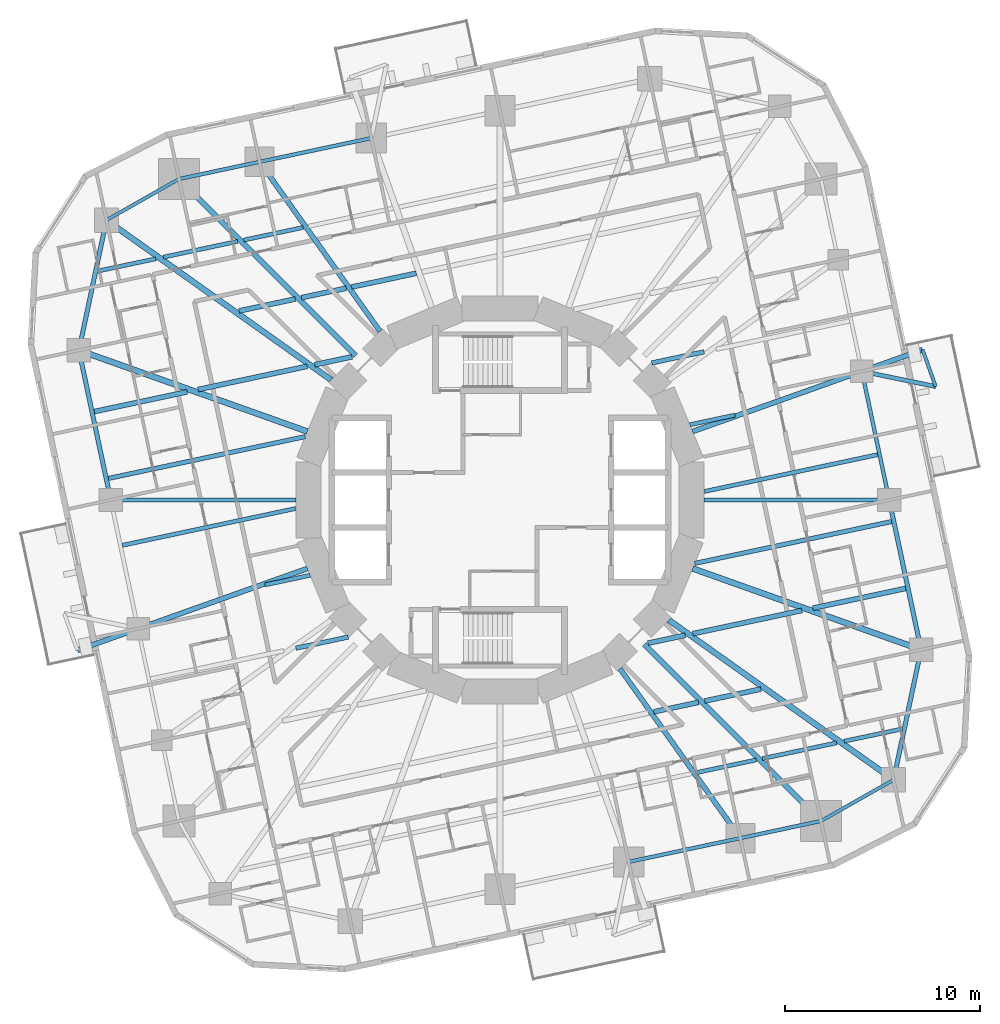
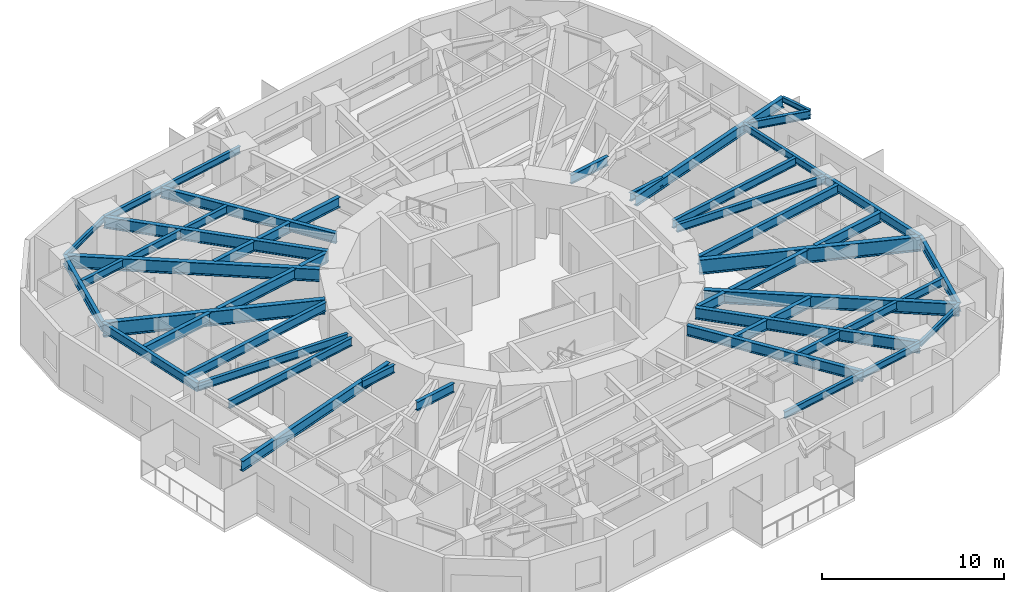
# One storey, part 2 of 14: 50 beams.
"""IFC4 building model written with IfcOpenShell, lengths in metres."""

from ifc_helpers import new_model, si_unit, direction, frame, origin, origin_2d, place, context, subcontext, project, spatial, i_section, extrude, material, material_profile, profile_set, type_object, element, save


model = new_model("IFC4")

# Units and contexts
model_context = context("Model", 3, precision=1e-05, world=origin(), true_north=direction((0.0, 1.0)))
body_context = subcontext(model_context, "Body", "Model", "MODEL_VIEW")
ifc_project = project(units=[si_unit("LENGTHUNIT", "METRE"), si_unit("AREAUNIT", "SQUARE_METRE"), si_unit("VOLUMEUNIT", "CUBIC_METRE"), si_unit("PLANEANGLEUNIT", "RADIAN"), si_unit("MASSUNIT", "GRAM", prefix="KILO")], contexts=[model_context])

# Site, building, storey
site_placement = place(None, origin())
site = spatial("IfcSite", under=ifc_project, at=site_placement, CompositionType="ELEMENT")
building_placement = place(site_placement, origin())
building = spatial("IfcBuilding", under=site, at=building_placement, Name="Nakasero Lantern House", CompositionType="ELEMENT")
storey_placement = place(building_placement, frame((0.0, 0.0, 120.39990234375)))
storey = spatial("IfcBuildingStorey", under=building, at=storey_placement, Name="L29", CompositionType="ELEMENT", Elevation=120.39990234375)

# Beams
ifc_material_1 = material(Name="Steel S355", Category="steel")
ifc_material_profile_1 = material_profile(ifc_material_1, i_section(OverallWidth=0.2138671875, OverallDepth=0.549072265625, WebThickness=0.0146484375, FlangeThickness=0.023681640625, FilletRadius=0.0126953125, at=origin_2d()), Name="UB 533x210x138")
ifc_profile_set_1 = profile_set([ifc_material_profile_1], Name="Steel S355")
beam_type_1 = type_object("IfcBeamType", Name="Balcony splay beam UB 533x210x138", PredefinedType="BEAM", material=ifc_profile_set_1)
beam_1_placement = place(storey_placement, frame((18.534912109375, 6.590087890625, 3.37548828125), z_axis=(0.979420272605, -0.201831438605, 0.0), x_axis=(0.201831438605, 0.979420272605, 0.0)))
element("IfcBeam", 1, at=beam_1_placement, inside=storey, type_object=beam_type_1, Name="Balcony splay beam L30 B3-C04A", PredefinedType="BEAM", context=body_context, shape_type="SweptSolid", body=[
    extrude(i_section(OverallWidth=0.2138671875, OverallDepth=0.549072265625, WebThickness=0.0146484375, FlangeThickness=0.023681640625, FilletRadius=0.0126953125, at=origin_2d()), origin(), (0.0, 0.0, 1.0), 3.858642578125),
])
ifc_material_2 = material(Name="Steel S355", Category="steel")
ifc_material_profile_2 = material_profile(ifc_material_2, i_section(OverallWidth=0.17138671875, OverallDepth=0.35498046875, WebThickness=0.00732421875, FlangeThickness=0.011474609375, FilletRadius=0.01025390625, at=origin_2d()), Name="UB 356x171x51")
ifc_profile_set_2 = profile_set([ifc_material_profile_2], Name="Steel S355")
beam_type_2 = type_object("IfcBeamType", Name="Balcony tie beam UB 356x171x51", PredefinedType="BEAM", material=ifc_profile_set_2)
beam_2_placement = place(storey_placement, frame((22.314208984375, 5.811279296875, 3.47265625), z_axis=(-0.335060236487, 0.942196708721, 0.0), x_axis=(-0.942196708721, -0.335060236487, 0.0)))
element("IfcBeam", 2, at=beam_2_placement, inside=storey, type_object=beam_type_2, Name="Balcony tie beam L30 B3-C04", PredefinedType="BEAM", context=body_context, shape_type="SweptSolid", body=[
    extrude(i_section(OverallWidth=0.17138671875, OverallDepth=0.35498046875, WebThickness=0.00732421875, FlangeThickness=0.011474609375, FilletRadius=0.01025390625, at=origin_2d()), origin(), (0.0, 0.0, 1.0), 2.000244140625),
])
ifc_material_3 = material(Name="Steel S355", Category="steel")
ifc_material_profile_3 = material_profile(ifc_material_3, i_section(OverallWidth=0.2099609375, OverallDepth=0.53662109375, WebThickness=0.0107421875, FlangeThickness=0.017333984375, FilletRadius=0.0126953125, at=origin_2d()), Name="UB 533x210x101")
ifc_profile_set_3 = profile_set([ifc_material_profile_3], Name="Steel S355")
beam_type_3 = type_object("IfcBeamType", Name="Infill beam UB 533x210x101", PredefinedType="JOIST", material=ifc_profile_set_3)
beam_3_placement = place(storey_placement, frame((10.0830078125, -13.958740234375, 3.3818359375), z_axis=(0.97813788874, 0.207957376908, 0.0), x_axis=(-0.207957376908, 0.97813788874, 0.0)))
element("IfcBeam", 3, at=beam_3_placement, inside=storey, type_object=beam_type_3, Name="Infill beam L30 03.5", PredefinedType="JOIST", context=body_context, shape_type="SweptSolid", body=[
    extrude(i_section(OverallWidth=0.2099609375, OverallDepth=0.53662109375, WebThickness=0.0107421875, FlangeThickness=0.017333984375, FilletRadius=0.0126953125, at=origin_2d()), origin(), (0.0, 0.0, 1.0), 3.108642578125),
])
beam_4_placement = place(storey_placement, frame((13.434814453125, -13.24609375, 3.3818359375), z_axis=(0.978152946383, 0.207886539924, 0.0), x_axis=(-0.207886539924, 0.978152946383, 0.0)))
element("IfcBeam", 4, at=beam_4_placement, inside=storey, type_object=beam_type_3, Name="Infill beam L30 03.6", PredefinedType="JOIST", context=body_context, shape_type="SweptSolid", body=[
    extrude(i_section(OverallWidth=0.2099609375, OverallDepth=0.53662109375, WebThickness=0.0107421875, FlangeThickness=0.017333984375, FilletRadius=0.0126953125, at=origin_2d()), origin(), (0.0, 0.0, 1.0), 3.888427734375),
])
beam_5_placement = place(storey_placement, frame((17.626708984375, -12.355224609375, 3.3818359375), z_axis=(0.978152299812, 0.207889582165, 0.0), x_axis=(-0.207889582165, 0.978152299812, 0.0)))
element("IfcBeam", 5, at=beam_5_placement, inside=storey, type_object=beam_type_3, Name="Infill beam L30 03.7", PredefinedType="JOIST", context=body_context, shape_type="SweptSolid", body=[
    extrude(i_section(OverallWidth=0.2099609375, OverallDepth=0.53662109375, WebThickness=0.0107421875, FlangeThickness=0.017333984375, FilletRadius=0.0126953125, at=origin_2d()), origin(), (0.0, 0.0, 1.0), 3.031005859375),
])
beam_6_placement = place(storey_placement, frame((-12.030029296875, -4.34619140625, 3.3818359375), z_axis=(0.97814938161, 0.207903312278, 0.0), x_axis=(-0.207903312278, 0.97814938161, 0.0)))
element("IfcBeam", 6, at=beam_6_placement, inside=storey, type_object=beam_type_3, Name="Infill beam L30 07.1", PredefinedType="JOIST", context=body_context, shape_type="SweptSolid", body=[
    extrude(i_section(OverallWidth=0.2099609375, OverallDepth=0.53662109375, WebThickness=0.0107421875, FlangeThickness=0.017333984375, FilletRadius=0.0126953125, at=origin_2d()), origin(), (0.0, 0.0, 1.0), 2.359130859375),
])
for number, where, z_axis, x_axis, name in (
    (7, (10.457763671875, 0.433837890625, 3.3818359375), (0.978146760676, 0.207915642939, 0.0), (-0.207915642939, 0.978146760676, 0.0), "Infill beam L30 07.2"),
    (8, (-19.34423828125, -2.32275390625, 3.3818359375), (0.978146760676, 0.207915642939, 0.0), (-0.207915642939, 0.978146760676, 0.0), "Infill beam L30 08.1"),
):
    element("IfcBeam", number, at=place(storey_placement, frame(where, z_axis=z_axis, x_axis=x_axis)), inside=storey, type_object=beam_type_3, Name=name, PredefinedType="JOIST", context=body_context, shape_type="SweptSolid", body=[
        extrude(i_section(OverallWidth=0.2099609375, OverallDepth=0.53662109375, WebThickness=0.0107421875, FlangeThickness=0.017333984375, FilletRadius=0.0126953125, at=origin_2d()), origin(), (0.0, 0.0, 1.0), 9.0849609375),
    ])
beam_7_placement = place(storey_placement, frame((9.722412109375, 3.855712890625, 3.3818359375), z_axis=(0.97814938161, 0.207903312278, 0.0), x_axis=(-0.207903312278, 0.97814938161, 0.0)))
element("IfcBeam", 9, at=beam_7_placement, inside=storey, type_object=beam_type_3, Name="Infill beam L30 08.2", PredefinedType="JOIST", context=body_context, shape_type="SweptSolid", body=[
    extrude(i_section(OverallWidth=0.2099609375, OverallDepth=0.53662109375, WebThickness=0.0107421875, FlangeThickness=0.017333984375, FilletRadius=0.0126953125, at=origin_2d()), origin(), (0.0, 0.0, 1.0), 2.359130859375),
])
beam_8_placement = place(storey_placement, frame((-20.591552734375, 11.72509765625, 3.3818359375), z_axis=(0.978152299812, 0.207889582165, 0.0), x_axis=(-0.207889582165, 0.978152299812, 0.0)))
element("IfcBeam", 10, at=beam_8_placement, inside=storey, type_object=beam_type_3, Name="Infill beam L30 12.1", PredefinedType="JOIST", context=body_context, shape_type="SweptSolid", body=[
    extrude(i_section(OverallWidth=0.2099609375, OverallDepth=0.53662109375, WebThickness=0.0107421875, FlangeThickness=0.017333984375, FilletRadius=0.0126953125, at=origin_2d()), origin(), (0.0, 0.0, 1.0), 3.031005859375),
])
beam_9_placement = place(storey_placement, frame((-17.23828125, 12.437744140625, 3.3818359375), z_axis=(0.978152946383, 0.207886539924, 0.0), x_axis=(-0.207886539924, 0.978152946383, 0.0)))
element("IfcBeam", 11, at=beam_9_placement, inside=storey, type_object=beam_type_3, Name="Infill beam L30 12.2", PredefinedType="JOIST", context=body_context, shape_type="SweptSolid", body=[
    extrude(i_section(OverallWidth=0.2099609375, OverallDepth=0.53662109375, WebThickness=0.0107421875, FlangeThickness=0.017333984375, FilletRadius=0.0126953125, at=origin_2d()), origin(), (0.0, 0.0, 1.0), 3.888427734375),
])
beam_10_placement = place(storey_placement, frame((-13.123779296875, 13.312255859375, 3.3818359375), z_axis=(0.97813788874, 0.207957376908, 0.0), x_axis=(-0.207957376908, 0.97813788874, 0.0)))
element("IfcBeam", 12, at=beam_10_placement, inside=storey, type_object=beam_type_3, Name="Infill beam L30 12.3", PredefinedType="JOIST", context=body_context, shape_type="SweptSolid", body=[
    extrude(i_section(OverallWidth=0.2099609375, OverallDepth=0.53662109375, WebThickness=0.0107421875, FlangeThickness=0.017333984375, FilletRadius=0.0126953125, at=origin_2d()), origin(), (0.0, 0.0, 1.0), 3.108642578125),
])
ifc_material_4 = material(Name="Steel S355", Category="steel")
ifc_material_profile_4 = material_profile(ifc_material_4, i_section(OverallWidth=0.2275390625, OverallDepth=0.6025390625, WebThickness=0.010498046875, FlangeThickness=0.014892578125, FilletRadius=0.0126953125, at=origin_2d()), Name="UB 610x229x101")
ifc_profile_set_4 = profile_set([ifc_material_profile_4], Name="Steel S355")
beam_type_4 = type_object("IfcBeamType", Name="Infill beam UB 610x229x101", PredefinedType="JOIST", material=ifc_profile_set_4)
beam_11_placement = place(storey_placement, frame((-10.453369140625, -7.58935546875, 3.348876953125), z_axis=(0.978139842642, 0.207948186423, 0.0), x_axis=(-0.207948186423, 0.978139842642, 0.0)))
element("IfcBeam", 13, at=beam_11_placement, inside=storey, type_object=beam_type_4, Name="Infill beam L30 06.2", PredefinedType="JOIST", context=body_context, shape_type="SweptSolid", body=[
    extrude(i_section(OverallWidth=0.2275390625, OverallDepth=0.6025390625, WebThickness=0.010498046875, FlangeThickness=0.014892578125, FilletRadius=0.0126953125, at=origin_2d()), origin(), (0.0, 0.0, 1.0), 2.74267578125),
])
for number, where, z_axis, x_axis, name in (
    (14, (9.974365234375, -3.2470703125, 3.348876953125), (0.978151564707, 0.207893040916, 0.0), (-0.207893040916, 0.978151564707, 0.0), "Infill beam L30 06.3"),
    (15, (-20.05419921875, 1.104736328125, 3.348876953125), (0.978151564707, 0.207893040916, 0.0), (-0.207893040916, 0.978151564707, 0.0), "Infill beam L30 09.1"),
):
    element("IfcBeam", number, at=place(storey_placement, frame(where, z_axis=z_axis, x_axis=x_axis)), inside=storey, type_object=beam_type_4, Name=name, PredefinedType="JOIST", context=body_context, shape_type="SweptSolid", body=[
        extrude(i_section(OverallWidth=0.2275390625, OverallDepth=0.6025390625, WebThickness=0.010498046875, FlangeThickness=0.014892578125, FilletRadius=0.0126953125, at=origin_2d()), origin(), (0.0, 0.0, 1.0), 10.304931640625),
    ])
beam_12_placement = place(storey_placement, frame((7.770751953125, 7.01904296875, 3.348876953125), z_axis=(0.978139842642, 0.207948186423, 0.0), x_axis=(-0.207948186423, 0.978139842642, 0.0)))
element("IfcBeam", 16, at=beam_12_placement, inside=storey, type_object=beam_type_4, Name="Infill beam L30 09.2", PredefinedType="JOIST", context=body_context, shape_type="SweptSolid", body=[
    extrude(i_section(OverallWidth=0.2275390625, OverallDepth=0.6025390625, WebThickness=0.010498046875, FlangeThickness=0.014892578125, FilletRadius=0.0126953125, at=origin_2d()), origin(), (0.0, 0.0, 1.0), 2.74267578125),
])
ifc_material_5 = material(Name="Steel S355", Category="steel")
ifc_material_profile_5 = material_profile(ifc_material_5, i_section(OverallWidth=0.253662109375, OverallDepth=0.68359375, WebThickness=0.012451171875, FlangeThickness=0.01904296875, FilletRadius=0.01513671875, at=origin_2d()), Name="UB 686x254x140")
ifc_profile_set_5 = profile_set([ifc_material_profile_5], Name="Steel S355")
beam_type_5 = type_object("IfcBeamType", Name="Infill beam UB 686x254x140", PredefinedType="JOIST", material=ifc_profile_set_5)
beam_13_placement = place(storey_placement, frame((7.872802734375, -10.850341796875, 3.308349609375), z_axis=(0.97813694426, 0.207961819271, 0.0), x_axis=(-0.207961819271, 0.97813694426, 0.0)))
element("IfcBeam", 17, at=beam_13_placement, inside=storey, type_object=beam_type_5, Name="Infill beam L30 04.5", PredefinedType="JOIST", context=body_context, shape_type="SweptSolid", body=[
    extrude(i_section(OverallWidth=0.253662109375, OverallDepth=0.68359375, WebThickness=0.012451171875, FlangeThickness=0.01904296875, FilletRadius=0.01513671875, at=origin_2d()), origin(), (0.0, 0.0, 1.0), 2.3515625),
])
for number, where, z_axis, x_axis, name in (
    (18, (10.48388671875, -10.295166015625, 3.308349609375), (0.978146839882, 0.207915270313, 0.0), (-0.207915270313, 0.978146839882, 0.0), "Infill beam L30 04.6"),
    (19, (-13.364501953125, 9.682861328125, 3.308349609375), (0.978146839882, 0.207915270313, 0.0), (-0.207915270313, 0.978146839882, 0.0), "Infill beam L30 11.1"),
):
    element("IfcBeam", number, at=place(storey_placement, frame(where, z_axis=z_axis, x_axis=x_axis)), inside=storey, type_object=beam_type_5, Name=name, PredefinedType="JOIST", context=body_context, shape_type="SweptSolid", body=[
        extrude(i_section(OverallWidth=0.253662109375, OverallDepth=0.68359375, WebThickness=0.012451171875, FlangeThickness=0.01904296875, FilletRadius=0.01513671875, at=origin_2d()), origin(), (0.0, 0.0, 1.0), 2.945068359375),
    ])
beam_14_placement = place(storey_placement, frame((-10.1728515625, 10.361328125, 3.308349609375), z_axis=(0.97813694426, 0.207961819271, 0.0), x_axis=(-0.207961819271, 0.97813694426, 0.0)))
element("IfcBeam", 20, at=beam_14_placement, inside=storey, type_object=beam_type_5, Name="Infill beam L30 11.2", PredefinedType="JOIST", context=body_context, shape_type="SweptSolid", body=[
    extrude(i_section(OverallWidth=0.253662109375, OverallDepth=0.68359375, WebThickness=0.012451171875, FlangeThickness=0.01904296875, FilletRadius=0.01513671875, at=origin_2d()), origin(), (0.0, 0.0, 1.0), 2.3515625),
])
beam_15_placement = place(storey_placement, frame((-7.60009765625, 10.908203125, 3.308349609375), z_axis=(0.978143084163, 0.207932938478, 0.0), x_axis=(-0.207932938478, 0.978143084163, 0.0)))
element("IfcBeam", 21, at=beam_15_placement, inside=storey, type_object=beam_type_5, Name="Infill beam L30 11.3", PredefinedType="JOIST", context=body_context, shape_type="SweptSolid", body=[
    extrude(i_section(OverallWidth=0.253662109375, OverallDepth=0.68359375, WebThickness=0.012451171875, FlangeThickness=0.01904296875, FilletRadius=0.01513671875, at=origin_2d()), origin(), (0.0, 0.0, 1.0), 3.385009765625),
])
ifc_material_6 = material(Name="Steel S355", Category="steel")
ifc_material_profile_6 = material_profile(ifc_material_6, i_section(OverallWidth=0.255859375, OverallDepth=0.69287109375, WebThickness=0.014404296875, FlangeThickness=0.023681640625, FilletRadius=0.01513671875, at=origin_2d()), Name="UB 686x254x170")
ifc_profile_set_6 = profile_set([ifc_material_profile_6], Name="Steel S355")
beam_type_6 = type_object("IfcBeamType", Name="Infill beam UB 686x254x170", PredefinedType="JOIST", material=ifc_profile_set_6)
beam_16_placement = place(storey_placement, frame((7.5771484375, -7.3349609375, 3.3037109375), z_axis=(0.978142670498, 0.207934884401, 0.0), x_axis=(-0.207934884401, 0.978142670498, 0.0)))
element("IfcBeam", 22, at=beam_16_placement, inside=storey, type_object=beam_type_6, Name="Infill beam L30 05.3", PredefinedType="JOIST", context=body_context, shape_type="SweptSolid", body=[
    extrude(i_section(OverallWidth=0.255859375, OverallDepth=0.69287109375, WebThickness=0.014404296875, FlangeThickness=0.023681640625, FilletRadius=0.01513671875, at=origin_2d()), origin(), (0.0, 0.0, 1.0), 1.9560546875),
])
beam_17_placement = place(storey_placement, frame((9.87890625, -6.845703125, 3.3037109375), z_axis=(0.978148855575, 0.207905787166, 0.0), x_axis=(-0.207905787166, 0.978148855575, 0.0)))
element("IfcBeam", 23, at=beam_17_placement, inside=storey, type_object=beam_type_6, Name="Infill beam L30 05.4", PredefinedType="JOIST", context=body_context, shape_type="SweptSolid", body=[
    extrude(i_section(OverallWidth=0.255859375, OverallDepth=0.69287109375, WebThickness=0.014404296875, FlangeThickness=0.023681640625, FilletRadius=0.01513671875, at=origin_2d()), origin(), (0.0, 0.0, 1.0), 5.711669921875),
])
for number, where, z_axis, x_axis, name in (
    (24, (16.026123046875, -5.5390625, 3.3037109375), (0.978141363358, 0.207941033198, 0.0), (-0.207941033198, 0.978141363358, 0.0), "Infill beam L30 05.5"),
    (25, (-20.78173828125, 4.528076171875, 3.3037109375), (0.978141363358, 0.207941033198, 0.0), (-0.207941033198, 0.978141363358, 0.0), "Infill beam L30 10.1"),
):
    element("IfcBeam", number, at=place(storey_placement, frame(where, z_axis=z_axis, x_axis=x_axis)), inside=storey, type_object=beam_type_6, Name=name, PredefinedType="JOIST", context=body_context, shape_type="SweptSolid", body=[
        extrude(i_section(OverallWidth=0.255859375, OverallDepth=0.69287109375, WebThickness=0.014404296875, FlangeThickness=0.023681640625, FilletRadius=0.01513671875, at=origin_2d()), origin(), (0.0, 0.0, 1.0), 4.86181640625),
    ])
beam_18_placement = place(storey_placement, frame((-15.4658203125, 5.658203125, 3.3037109375), z_axis=(0.978148855575, 0.207905787166, 0.0), x_axis=(-0.207905787166, 0.978148855575, 0.0)))
element("IfcBeam", 26, at=beam_18_placement, inside=storey, type_object=beam_type_6, Name="Infill beam L30 10.2", PredefinedType="JOIST", context=body_context, shape_type="SweptSolid", body=[
    extrude(i_section(OverallWidth=0.255859375, OverallDepth=0.69287109375, WebThickness=0.014404296875, FlangeThickness=0.023681640625, FilletRadius=0.01513671875, at=origin_2d()), origin(), (0.0, 0.0, 1.0), 5.711669921875),
])
beam_19_placement = place(storey_placement, frame((-9.490478515625, 6.92822265625, 3.3037109375), z_axis=(0.978142670498, 0.207934884401, 0.0), x_axis=(-0.207934884401, 0.978142670498, 0.0)))
element("IfcBeam", 27, at=beam_19_placement, inside=storey, type_object=beam_type_6, Name="Infill beam L30 10.3", PredefinedType="JOIST", context=body_context, shape_type="SweptSolid", body=[
    extrude(i_section(OverallWidth=0.255859375, OverallDepth=0.69287109375, WebThickness=0.014404296875, FlangeThickness=0.023681640625, FilletRadius=0.01513671875, at=origin_2d()), origin(), (0.0, 0.0, 1.0), 1.9560546875),
])
ifc_material_7 = material(Name="Steel S355", Category="steel")
ifc_material_profile_7 = material_profile(ifc_material_7, i_section(OverallWidth=0.300048828125, OverallDepth=0.97998046875, WebThickness=0.0166015625, FlangeThickness=0.02587890625, FilletRadius=0.030029296875, at=origin_2d()), Name="UB 1016x305x249")
ifc_profile_set_7 = profile_set([ifc_material_profile_7], Name="Steel S355")
beam_type_7 = type_object("IfcBeamType", Name="Primary beam UB 1016x305x249, span 12 to 15 m", PredefinedType="BEAM", material=ifc_profile_set_7)
for number, where, z_axis, x_axis, name in (
    (28, (21.5654296875, -7.667724609375, 3.16015625), (-0.942213862739, 0.335011995103, 0.0), (-0.335011995103, -0.942213862739, 0.0), "Primary beam L30 B3-C02"),
    (29, (-21.5654296875, 7.667724609375, 3.16015625), (0.942213862739, -0.335011995103, 0.0), (0.335011995103, 0.942213862739, 0.0), "Primary beam L30 B3-C14"),
):
    element("IfcBeam", number, at=place(storey_placement, frame(where, z_axis=z_axis, x_axis=x_axis)), inside=storey, type_object=beam_type_7, Name=name, PredefinedType="BEAM", context=body_context, shape_type="SweptSolid", body=[
        extrude(i_section(OverallWidth=0.300048828125, OverallDepth=0.97998046875, WebThickness=0.0166015625, FlangeThickness=0.02587890625, FilletRadius=0.030029296875, at=origin_2d()), origin(), (0.0, 0.0, 1.0), 12.41650390625),
    ])
ifc_material_8 = material(Name="Steel S355", Category="steel")
ifc_material_profile_8 = material_profile(ifc_material_8, i_section(OverallWidth=0.208740234375, OverallDepth=0.5283203125, WebThickness=0.009521484375, FlangeThickness=0.01318359375, FilletRadius=0.0126953125, at=origin_2d()), Name="UB 533x210x82")
ifc_profile_set_8 = profile_set([ifc_material_profile_8], Name="Steel S355")
beam_type_8 = type_object("IfcBeamType", Name="Primary beam UB 533x210x82, span 9 to 12 m", PredefinedType="BEAM", material=ifc_profile_set_8)
for number, where, z_axis, x_axis, name in (
    (30, (19.935546875, 0.0, 3.385986328125), (-1.0, 0.0, 0.0), (0.0, -1.0, 0.0), "Primary beam L30 B3-C03"),
    (31, (-19.935546875, 0.0, 3.385986328125), (1.0, 0.0, 0.0), (0.0, 1.0, 0.0), "Primary beam L30 B3-C15"),
):
    element("IfcBeam", number, at=place(storey_placement, frame(where, z_axis=z_axis, x_axis=x_axis)), inside=storey, type_object=beam_type_8, Name=name, PredefinedType="BEAM", context=body_context, shape_type="SweptSolid", body=[
        extrude(i_section(OverallWidth=0.208740234375, OverallDepth=0.5283203125, WebThickness=0.009521484375, FlangeThickness=0.01318359375, FilletRadius=0.0126953125, at=origin_2d()), origin(), (0.0, 0.0, 1.0), 9.477783203125),
    ])
ifc_material_9 = material(Name="Steel S355", Category="steel")
ifc_material_profile_9 = material_profile(ifc_material_9, i_section(OverallWidth=0.255859375, OverallDepth=0.69287109375, WebThickness=0.014404296875, FlangeThickness=0.023681640625, FilletRadius=0.01513671875, at=origin_2d()), Name="UB 686x254x170")
ifc_profile_set_9 = profile_set([ifc_material_profile_9], Name="Steel S355")
beam_type_9 = type_object("IfcBeamType", Name="Primary beam UB 686x254x170, span 9 to 12 m", PredefinedType="BEAM", material=ifc_profile_set_9)
beam_20_placement = place(storey_placement, frame((21.64404296875, 7.69580078125, 3.3037109375), z_axis=(-0.942210717159, -0.335020841845, 0.0), x_axis=(0.335020841845, -0.942210717159, 0.0)))
element("IfcBeam", 32, at=beam_20_placement, inside=storey, type_object=beam_type_9, Name="Primary beam L30 B3-C04", PredefinedType="BEAM", context=body_context, shape_type="SweptSolid", body=[
    extrude(i_section(OverallWidth=0.255859375, OverallDepth=0.69287109375, WebThickness=0.014404296875, FlangeThickness=0.023681640625, FilletRadius=0.01513671875, at=origin_2d()), origin(), (0.0, 0.0, 1.0), 12.5),
])
beam_21_placement = place(storey_placement, frame((-12.31494140625, 17.318115234375, 3.3037109375), z_axis=(0.579520739774, -0.814957491022, 0.0), x_axis=(0.814957491022, 0.579520739774, 0.0)))
element("IfcBeam", 33, at=beam_21_placement, inside=storey, type_object=beam_type_9, Name="Primary beam L30 B3-C11", PredefinedType="BEAM", context=body_context, shape_type="SweptSolid", body=[
    extrude(i_section(OverallWidth=0.255859375, OverallDepth=0.69287109375, WebThickness=0.014404296875, FlangeThickness=0.023681640625, FilletRadius=0.01513671875, at=origin_2d()), origin(), (0.0, 0.0, 1.0), 10.64453125),
])
beam_22_placement = place(storey_placement, frame((-21.64404296875, -7.69580078125, 3.3037109375), z_axis=(0.942210717159, 0.335020841845, 0.0), x_axis=(-0.335020841845, 0.942210717159, 0.0)))
element("IfcBeam", 34, at=beam_22_placement, inside=storey, type_object=beam_type_9, Name="Primary beam L30 B3-C16", PredefinedType="BEAM", context=body_context, shape_type="SweptSolid", body=[
    extrude(i_section(OverallWidth=0.255859375, OverallDepth=0.69287109375, WebThickness=0.014404296875, FlangeThickness=0.023681640625, FilletRadius=0.01513671875, at=origin_2d()), origin(), (0.0, 0.0, 1.0), 12.5),
])
beam_23_placement = place(storey_placement, frame((12.31494140625, -17.318115234375, 3.3037109375), z_axis=(-0.579520739774, 0.814957491022, 0.0), x_axis=(-0.814957491022, -0.579520739774, 0.0)))
element("IfcBeam", 35, at=beam_23_placement, inside=storey, type_object=beam_type_9, Name="Primary beam L30 B3-C23", PredefinedType="BEAM", context=body_context, shape_type="SweptSolid", body=[
    extrude(i_section(OverallWidth=0.255859375, OverallDepth=0.69287109375, WebThickness=0.014404296875, FlangeThickness=0.023681640625, FilletRadius=0.01513671875, at=origin_2d()), origin(), (0.0, 0.0, 1.0), 10.64453125),
])
ifc_material_10 = material(Name="Steel S355", Category="steel")
ifc_material_profile_10 = material_profile(ifc_material_10, i_section(OverallWidth=0.2666015625, OverallDepth=0.76220703125, WebThickness=0.014404296875, FlangeThickness=0.021484375, FilletRadius=0.0166015625, at=origin_2d()), Name="UB 762x267x173")
ifc_profile_set_10 = profile_set([ifc_material_profile_10], Name="Steel S355")
beam_type_10 = type_object("IfcBeamType", Name="Primary beam UB 762x267x173, span 12 to 15 m", PredefinedType="BEAM", material=ifc_profile_set_10)
for number, where, z_axis, x_axis, name in (
    (36, (-16.44091796875, 16.44091796875, 3.26904296875), (0.707106781187, -0.707106781187, 0.0), (0.707106781187, 0.707106781187, 0.0), "Primary beam L30 B3-C12"),
    (37, (16.44091796875, -16.44091796875, 3.26904296875), (-0.707106781187, 0.707106781187, 0.0), (-0.707106781187, -0.707106781187, 0.0), "Primary beam L30 B3-C24"),
):
    element("IfcBeam", number, at=place(storey_placement, frame(where, z_axis=z_axis, x_axis=x_axis)), inside=storey, type_object=beam_type_10, Name=name, PredefinedType="BEAM", context=body_context, shape_type="SweptSolid", body=[
        extrude(i_section(OverallWidth=0.2666015625, OverallDepth=0.76220703125, WebThickness=0.014404296875, FlangeThickness=0.021484375, FilletRadius=0.0166015625, at=origin_2d()), origin(), (0.0, 0.0, 1.0), 12.793212890625),
    ])
ifc_material_11 = material(Name="Steel S355", Category="steel")
ifc_material_profile_11 = material_profile(ifc_material_11, i_section(OverallWidth=0.29248046875, OverallDepth=0.8408203125, WebThickness=0.0146484375, FlangeThickness=0.02685546875, FilletRadius=0.017822265625, at=origin_2d()), Name="UB 838x292x194")
ifc_profile_set_11 = profile_set([ifc_material_profile_11], Name="Steel S355")
beam_type_11 = type_object("IfcBeamType", Name="Primary beam UB 838x292x194, span 12 to 15 m", PredefinedType="BEAM", material=ifc_profile_set_11)
for number, where, z_axis, x_axis, name in (
    (38, (20.15625, -14.33349609375, 3.229736328125), (-0.814946074386, 0.57953679421, 0.0), (-0.57953679421, -0.814946074386, 0.0), "Primary beam L30 B3-C01"),
    (39, (-20.15625, 14.33349609375, 3.229736328125), (0.814946074386, -0.57953679421, 0.0), (0.57953679421, 0.814946074386, 0.0), "Primary beam L30 B3-C13"),
):
    element("IfcBeam", number, at=place(storey_placement, frame(where, z_axis=z_axis, x_axis=x_axis)), inside=storey, type_object=beam_type_11, Name=name, PredefinedType="BEAM", context=body_context, shape_type="SweptSolid", body=[
        extrude(i_section(OverallWidth=0.29248046875, OverallDepth=0.8408203125, WebThickness=0.0146484375, FlangeThickness=0.02685546875, FilletRadius=0.017822265625, at=origin_2d()), origin(), (0.0, 0.0, 1.0), 14.127197265625),
    ])
ifc_material_12 = material(Name="Steel S355", Category="steel")
ifc_material_profile_12 = material_profile(ifc_material_12, i_section(OverallWidth=0.17138671875, OverallDepth=0.35498046875, WebThickness=0.00732421875, FlangeThickness=0.011474609375, FilletRadius=0.01025390625, at=origin_2d()), Name="UB 356x171x51")
ifc_profile_set_12 = profile_set([ifc_material_profile_12], Name="Steel S355")
beam_type_12 = type_object("IfcBeamType", Name="Ring beam UB 356x171x51", PredefinedType="BEAM", material=ifc_profile_set_12)
for number, where, z_axis, x_axis, name in (
    (40, (-16.44091796875, 16.44091796875, 3.47265625), (-0.869814536213, -0.493378832737, 0.0), (0.493378832737, -0.869814536213, 0.0), "Ring beam L30 B3-C12"),
    (41, (16.44091796875, -16.44091796875, 3.47265625), (0.869814536213, 0.493378832737, 0.0), (-0.493378832737, 0.869814536213, 0.0), "Ring beam L30 B3-C24"),
):
    element("IfcBeam", number, at=place(storey_placement, frame(where, z_axis=z_axis, x_axis=x_axis)), inside=storey, type_object=beam_type_12, Name=name, PredefinedType="BEAM", context=body_context, shape_type="SweptSolid", body=[
        extrude(i_section(OverallWidth=0.17138671875, OverallDepth=0.35498046875, WebThickness=0.00732421875, FlangeThickness=0.011474609375, FilletRadius=0.01025390625, at=origin_2d()), origin(), (0.0, 0.0, 1.0), 4.271484375),
    ])
ifc_material_13 = material(Name="Steel S355", Category="steel")
ifc_material_profile_13 = material_profile(ifc_material_13, i_section(OverallWidth=0.19140625, OverallDepth=0.4599609375, WebThickness=0.010009765625, FlangeThickness=0.01611328125, FilletRadius=0.01025390625, at=origin_2d()), Name="UB 457x191x82")
ifc_profile_set_13 = profile_set([ifc_material_profile_13], Name="Steel S355")
beam_type_13 = type_object("IfcBeamType", Name="Ring beam UB 457x191x82", PredefinedType="BEAM", material=ifc_profile_set_13)
beam_24_placement = place(storey_placement, frame((19.935546875, 0.0, 3.420166015625), z_axis=(-0.20789299389, 0.978151574702, 0.0), x_axis=(-0.978151574702, -0.20789299389, 0.0)))
element("IfcBeam", 42, at=beam_24_placement, inside=storey, type_object=beam_type_13, Name="Ring beam L30 B3-C03", PredefinedType="BEAM", context=body_context, shape_type="SweptSolid", body=[
    extrude(i_section(OverallWidth=0.19140625, OverallDepth=0.4599609375, WebThickness=0.010009765625, FlangeThickness=0.01611328125, FilletRadius=0.01025390625, at=origin_2d()), origin(), (0.0, 0.0, 1.0), 6.7373046875),
])
beam_25_placement = place(storey_placement, frame((-6.590087890625, 18.534912109375, 3.420166015625), z_axis=(-0.978149626621, -0.207902159541, 0.0), x_axis=(0.207902159541, -0.978149626621, 0.0)))
element("IfcBeam", 43, at=beam_25_placement, inside=storey, type_object=beam_type_13, Name="Ring beam L30 B3-C10", PredefinedType="BEAM", context=body_context, shape_type="SweptSolid", body=[
    extrude(i_section(OverallWidth=0.19140625, OverallDepth=0.4599609375, WebThickness=0.010009765625, FlangeThickness=0.01611328125, FilletRadius=0.01025390625, at=origin_2d()), origin(), (0.0, 0.0, 1.0), 5.852783203125),
])
beam_26_placement = place(storey_placement, frame((-12.31494140625, 17.318115234375, 3.420166015625), z_axis=(-0.978138252658, -0.207955665195, 0.0), x_axis=(0.207955665195, -0.978138252658, 0.0)))
element("IfcBeam", 44, at=beam_26_placement, inside=storey, type_object=beam_type_13, Name="Ring beam L30 B3-C11", PredefinedType="BEAM", context=body_context, shape_type="SweptSolid", body=[
    extrude(i_section(OverallWidth=0.19140625, OverallDepth=0.4599609375, WebThickness=0.010009765625, FlangeThickness=0.01611328125, FilletRadius=0.01025390625, at=origin_2d()), origin(), (0.0, 0.0, 1.0), 4.21826171875),
])
beam_27_placement = place(storey_placement, frame((6.590087890625, -18.534912109375, 3.420166015625), z_axis=(0.978149626621, 0.207902159541, 0.0), x_axis=(-0.207902159541, 0.978149626621, 0.0)))
element("IfcBeam", 45, at=beam_27_placement, inside=storey, type_object=beam_type_13, Name="Ring beam L30 B3-C22", PredefinedType="BEAM", context=body_context, shape_type="SweptSolid", body=[
    extrude(i_section(OverallWidth=0.19140625, OverallDepth=0.4599609375, WebThickness=0.010009765625, FlangeThickness=0.01611328125, FilletRadius=0.01025390625, at=origin_2d()), origin(), (0.0, 0.0, 1.0), 5.852783203125),
])
beam_28_placement = place(storey_placement, frame((12.31494140625, -17.318115234375, 3.420166015625), z_axis=(0.978138252658, 0.207955665195, 0.0), x_axis=(-0.207955665195, 0.978138252658, 0.0)))
element("IfcBeam", 46, at=beam_28_placement, inside=storey, type_object=beam_type_13, Name="Ring beam L30 B3-C23", PredefinedType="BEAM", context=body_context, shape_type="SweptSolid", body=[
    extrude(i_section(OverallWidth=0.19140625, OverallDepth=0.4599609375, WebThickness=0.010009765625, FlangeThickness=0.01611328125, FilletRadius=0.01025390625, at=origin_2d()), origin(), (0.0, 0.0, 1.0), 4.21826171875),
])
ifc_material_14 = material(Name="Steel S355", Category="steel")
ifc_material_profile_14 = material_profile(ifc_material_14, i_section(OverallWidth=0.2275390625, OverallDepth=0.6025390625, WebThickness=0.010498046875, FlangeThickness=0.014892578125, FilletRadius=0.0126953125, at=origin_2d()), Name="UB 610x229x101")
ifc_profile_set_14 = profile_set([ifc_material_profile_14], Name="Steel S355")
beam_type_14 = type_object("IfcBeamType", Name="Ring beam UB 610x229x101", PredefinedType="BEAM", material=ifc_profile_set_14)
beam_29_placement = place(storey_placement, frame((20.15625, -14.33349609375, 3.348876953125), z_axis=(0.206833925052, 0.978376066473, 0.0), x_axis=(-0.978376066473, 0.206833925052, 0.0)))
element("IfcBeam", 47, at=beam_29_placement, inside=storey, type_object=beam_type_14, Name="Ring beam L30 B3-C01", PredefinedType="BEAM", context=body_context, shape_type="SweptSolid", body=[
    extrude(i_section(OverallWidth=0.2275390625, OverallDepth=0.6025390625, WebThickness=0.010498046875, FlangeThickness=0.014892578125, FilletRadius=0.0126953125, at=origin_2d()), origin(), (0.0, 0.0, 1.0), 6.81298828125),
])
beam_30_placement = place(storey_placement, frame((21.5654296875, -7.667724609375, 3.348876953125), z_axis=(-0.207918725139, 0.978146105516, 0.0), x_axis=(-0.978146105516, -0.207918725139, 0.0)))
element("IfcBeam", 48, at=beam_30_placement, inside=storey, type_object=beam_type_14, Name="Ring beam L30 B3-C02", PredefinedType="BEAM", context=body_context, shape_type="SweptSolid", body=[
    extrude(i_section(OverallWidth=0.2275390625, OverallDepth=0.6025390625, WebThickness=0.010498046875, FlangeThickness=0.014892578125, FilletRadius=0.0126953125, at=origin_2d()), origin(), (0.0, 0.0, 1.0), 7.839111328125),
])
beam_31_placement = place(storey_placement, frame((-20.15625, 14.33349609375, 3.348876953125), z_axis=(-0.206833925052, -0.978376066473, 0.0), x_axis=(0.978376066473, -0.206833925052, 0.0)))
element("IfcBeam", 49, at=beam_31_placement, inside=storey, type_object=beam_type_14, Name="Ring beam L30 B3-C13", PredefinedType="BEAM", context=body_context, shape_type="SweptSolid", body=[
    extrude(i_section(OverallWidth=0.2275390625, OverallDepth=0.6025390625, WebThickness=0.010498046875, FlangeThickness=0.014892578125, FilletRadius=0.0126953125, at=origin_2d()), origin(), (0.0, 0.0, 1.0), 6.81298828125),
])
beam_32_placement = place(storey_placement, frame((-21.5654296875, 7.667724609375, 3.348876953125), z_axis=(0.207918725139, -0.978146105516, 0.0), x_axis=(0.978146105516, 0.207918725139, 0.0)))
element("IfcBeam", 50, at=beam_32_placement, inside=storey, type_object=beam_type_14, Name="Ring beam L30 B3-C14", PredefinedType="BEAM", context=body_context, shape_type="SweptSolid", body=[
    extrude(i_section(OverallWidth=0.2275390625, OverallDepth=0.6025390625, WebThickness=0.010498046875, FlangeThickness=0.014892578125, FilletRadius=0.0126953125, at=origin_2d()), origin(), (0.0, 0.0, 1.0), 7.839111328125),
])

save(model, "model.ifc")
